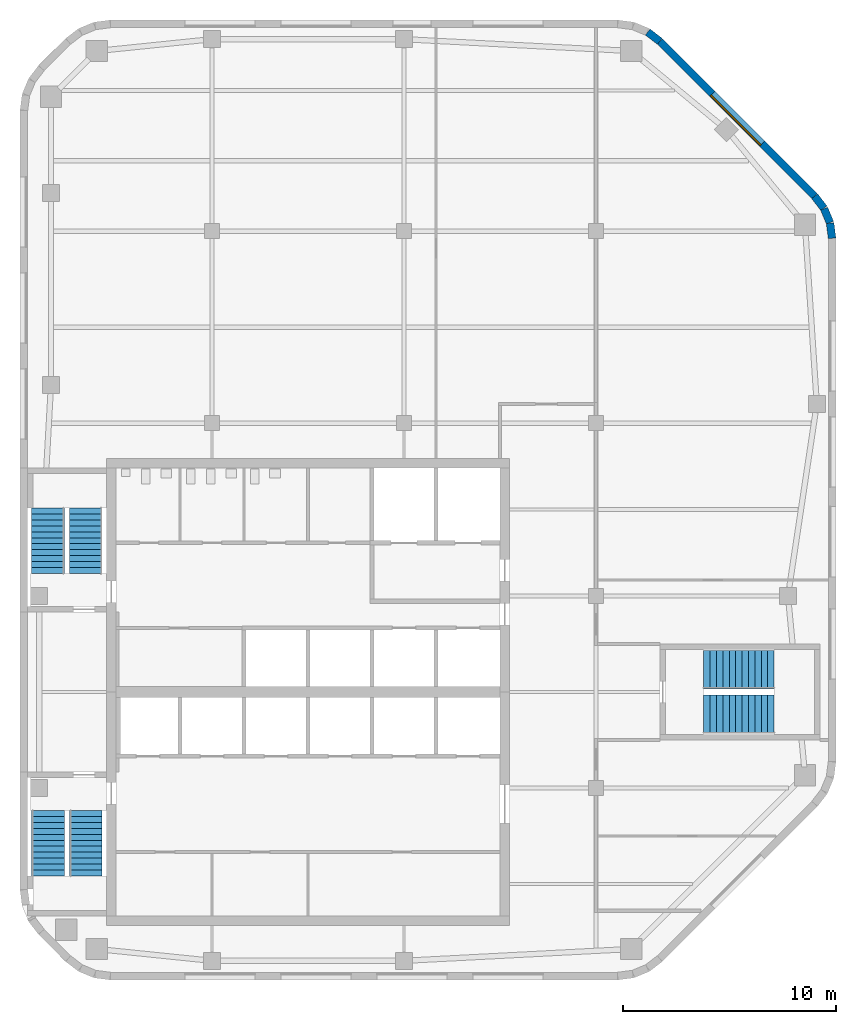
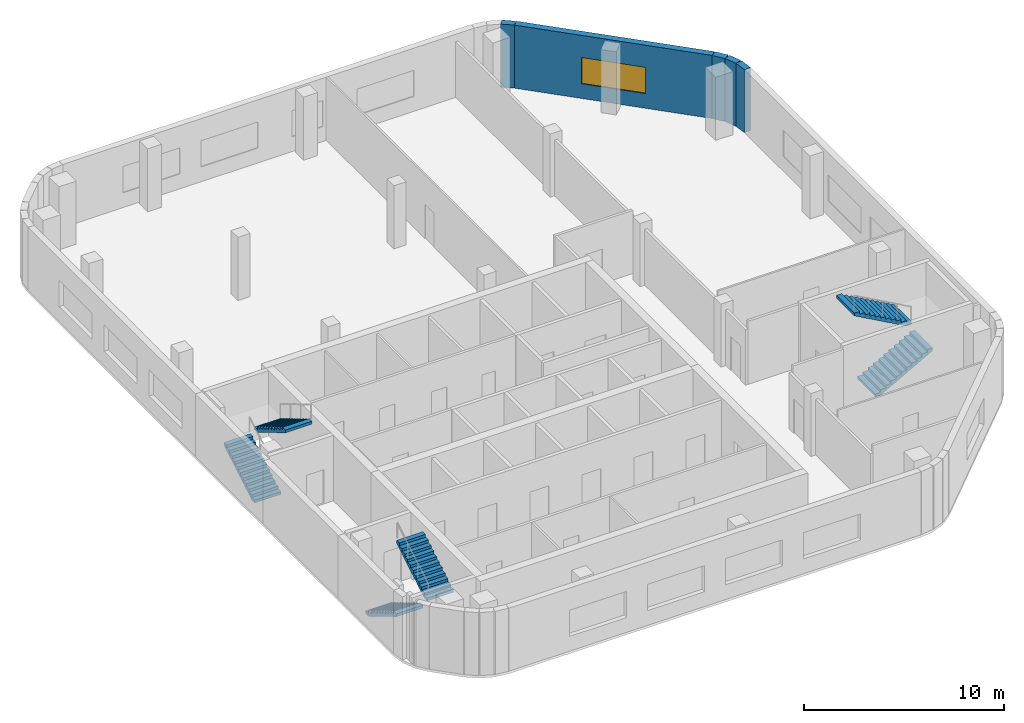
# One storey, part 5 of 7: 6 stair flights, 5 walls, 1 window, 1 opening, 3 elements without a shape of their own.
"""IFC4 building model written with IfcOpenShell, lengths in metres."""

from ifc_helpers import new_model, si_unit, direction, frame, frame_2d, origin, place, context, subcontext, project, spatial, polyline, rectangle, outline, extrude, material, layer, layer_set, type_object, element, fill, aggregate, save


model = new_model("IFC4")

# Units and contexts
model_context = context("Model", 3, precision=1e-05, world=origin(), true_north=direction((0.0, 1.0)))
body_context = subcontext(model_context, "Body", "Model", "MODEL_VIEW")
ifc_project = project(units=[si_unit("LENGTHUNIT", "METRE"), si_unit("AREAUNIT", "SQUARE_METRE"), si_unit("VOLUMEUNIT", "CUBIC_METRE"), si_unit("PLANEANGLEUNIT", "RADIAN"), si_unit("MASSUNIT", "GRAM", prefix="KILO")], contexts=[model_context])

# Site, building, storey
site_placement = place(None, origin())
site = spatial("IfcSite", under=ifc_project, at=site_placement, CompositionType="ELEMENT")
building_placement = place(site_placement, origin())
building = spatial("IfcBuilding", under=site, at=building_placement, Name="Cinnabar Reach Civic Tower", CompositionType="ELEMENT")
storey_placement = place(building_placement, frame((0.0, 0.0, 255.0)))
storey = spatial("IfcBuildingStorey", under=building, at=storey_placement, Name="L61", CompositionType="ELEMENT", Elevation=255.0)

# Walls
ifc_material_1 = material(Name="Facing brick with insulated backing", Category="masonry")
ifc_layer_1 = layer(ifc_material_1, 0.36)
ifc_layer_set_1 = layer_set([ifc_layer_1], Name="Brick corner wall")
wall_type_1 = type_object("IfcWallType", Name="Brick corner wall", PredefinedType="STANDARD", material=ifc_layer_set_1)
for number, where, z_axis, x_axis, name in (
    (1, (38.067, 52.7686, 0.0), (0.0, 0.0, 1.0), (-0.13055608231, 0.99144092581, 0.0), "Brick corner wall"),
    (2, (37.9681, 53.4973, 0.0), (0.0, 0.0, 1.0), (-0.382702709855, 0.923871547278, 0.0), "Brick corner wall"),
):
    element("IfcWall", number, at=place(storey_placement, frame(where, z_axis=z_axis, x_axis=x_axis)), inside=storey, type_object=wall_type_1, Name=name, PredefinedType="STANDARD", context=body_context, shape_type="SweptSolid", body=[
        extrude(rectangle(XDim=0.7131, YDim=0.36, at=frame_2d((0.3565, 0.0))), origin(), (0.0, 0.0, 1.0), 3.85),
    ])
for number, where, z_axis, x_axis, name in (
    (3, (37.684, 54.1755, 0.0), (0.0, 0.0, 1.0), (-0.608802368033, 0.793321924995, 0.0), "Brick corner wall"),
    (4, (29.9913, 61.9998, 0.0), (0.0, 0.0, 1.0), (-0.793321924995, 0.608802368033, 0.0), "Brick corner wall"),
):
    element("IfcWall", number, at=place(storey_placement, frame(where, z_axis=z_axis, x_axis=x_axis)), inside=storey, type_object=wall_type_1, Name=name, PredefinedType="STANDARD", context=body_context, shape_type="SweptSolid", body=[
        extrude(rectangle(XDim=0.7132, YDim=0.36, at=frame_2d((0.3566, 0.0))), origin(), (0.0, 0.0, 1.0), 3.85),
    ])

# Wall, opening, window
ifc_layer_2 = layer(ifc_material_1, 0.36)
ifc_layer_set_2 = layer_set([ifc_layer_2], Name="Brick pier and spandrel wall")
wall_type_2 = type_object("IfcWallType", Name="Brick pier and spandrel wall", PredefinedType="STANDARD", material=ifc_layer_set_2)
wall_placement = place(storey_placement, frame((37.244, 54.7514, 0.0), z_axis=(0.0, 0.0, 1.0), x_axis=(-0.707106781187, 0.707106781187, 0.0)))
wall = element("IfcWall", 5, at=wall_placement, inside=storey, type_object=wall_type_2, Name="Brick facade wall", PredefinedType="STANDARD", context=body_context, shape_type="SweptSolid", body=[
    extrude(rectangle(XDim=10.2426, YDim=0.36, at=frame_2d((5.1213, 0.0))), origin(), (0.0, 0.0, 1.0), 3.85),
])
opening_placement = place(wall_placement, frame((3.4713, 0.0, 0.9)))
opening = element("IfcOpeningElement", 6, at=opening_placement, cuts=wall, Name="Opening W2220", PredefinedType="OPENING", context=body_context, shape_type="SweptSolid", body=[
    extrude(rectangle(XDim=3.3, YDim=1.6, at=frame_2d((1.65, 0.8))), frame((0.0, 0.19, 0.0), z_axis=(0.0, -1.0, 0.0), x_axis=(1.0, 0.0, 0.0)), (0.0, 0.0, 1.0), 0.38),
])
ifc_material_2 = material(Name="Clear double glazing in aluminium frame", Category="aluminium")
window_type = type_object("IfcWindowType", Name="Deep-set window A", PartitioningType="SINGLE_PANEL", PredefinedType="WINDOW", material=ifc_material_2)
window_placement = place(opening_placement, origin())
window = element("IfcWindow", 7, at=window_placement, inside=storey, type_object=window_type, Name="Window northeast face", OverallHeight=1.6, OverallWidth=3.3, PartitioningType="SINGLE_PANEL", PredefinedType="WINDOW", context=body_context, shape_type="SweptSolid", body=[
    extrude(rectangle(XDim=3.3, YDim=1.6, at=frame_2d((1.65, 0.8))), frame((0.0, 0.13, 0.0), z_axis=(0.0, -1.0, 0.0), x_axis=(1.0, 0.0, 0.0)), (0.0, 0.0, 1.0), 0.06),
])
fill(opening, window)

# Stair, stair flights
ifc_material_3 = material(Name="Concrete C40/50", Category="concrete")
stair_type = type_object("IfcStairType", Name="T1 Exit stair, half-turn", PredefinedType="HALF_TURN_STAIR", material=ifc_material_3)
stair_1_placement = place(storey_placement, origin())
stair_1 = element("IfcStair", 8, at=stair_1_placement, inside=storey, type_object=stair_type, Name="Stair T1-S1", PredefinedType="HALF_TURN_STAIR")
stair_flight_type = type_object("IfcStairFlightType", Name="T1 Stair flight, concrete", PredefinedType="STRAIGHT", material=ifc_material_3)
stair_flight_1_placement = place(storey_placement, frame((1.3125, 25.95, 0.0), z_axis=(0.0, 0.0, 1.0), x_axis=(0.0, -1.0, 0.0)))
stair_flight_1 = element("IfcStairFlight", 9, at=stair_flight_1_placement, type_object=stair_flight_type, Name="T1-S1 flight 1", NumberOfRisers=12, NumberOfTreads=11, PredefinedType="STRAIGHT", RiserHeight=0.166666667, TreadLength=0.28, context=body_context, shape_type="SweptSolid", body=[
    extrude(outline(polyline([(0.0, 0.0), (0.0, 0.1667), (0.28, 0.1667), (0.28, 0.3333), (0.56, 0.3333), (0.56, 0.5), (0.84, 0.5), (0.84, 0.6667), (1.12, 0.6667), (1.12, 0.8333), (1.4, 0.8333), (1.4, 1.0), (1.68, 1.0), (1.68, 1.1667), (1.96, 1.1667), (1.96, 1.3333), (2.24, 1.3333), (2.24, 1.5), (2.52, 1.5), (2.52, 1.6667), (2.8, 1.6667), (2.8, 1.8333), (3.08, 1.8333), (3.08, 2.0), (3.08, 1.6588), (0.2933, 0.0), (0.0, 0.0)])), frame((0.0, 0.7625, 0.0), z_axis=(0.0, -1.0, 0.0), x_axis=(1.0, 0.0, 0.0)), (0.0, 0.0, 1.0), 1.525),
])
stair_flight_2_placement = place(storey_placement, frame((3.0875, 22.87, 2.0), z_axis=(0.0, 0.0, 1.0), x_axis=(0.0, 1.0, 0.0)))
stair_flight_2 = element("IfcStairFlight", 10, at=stair_flight_2_placement, type_object=stair_flight_type, Name="T1-S1 flight 2", NumberOfRisers=12, NumberOfTreads=11, PredefinedType="STRAIGHT", RiserHeight=0.166666667, TreadLength=0.28, context=body_context, shape_type="SweptSolid", body=[
    extrude(outline(polyline([(0.0, 0.0), (0.0, 0.1667), (0.28, 0.1667), (0.28, 0.3333), (0.56, 0.3333), (0.56, 0.5), (0.84, 0.5), (0.84, 0.6667), (1.12, 0.6667), (1.12, 0.8333), (1.4, 0.8333), (1.4, 1.0), (1.68, 1.0), (1.68, 1.1667), (1.96, 1.1667), (1.96, 1.3333), (2.24, 1.3333), (2.24, 1.5), (2.52, 1.5), (2.52, 1.6667), (2.8, 1.6667), (2.8, 1.8333), (3.08, 1.8333), (3.08, 2.0), (3.08, 1.6588), (0.2933, 0.0), (0.0, 0.0)])), frame((0.0, 0.7625, 0.0), z_axis=(0.0, -1.0, 0.0), x_axis=(1.0, 0.0, 0.0)), (0.0, 0.0, 1.0), 1.525),
])
aggregate(stair_1, [stair_flight_1, stair_flight_2])

stair_2_placement = place(storey_placement, origin())
stair_2 = element("IfcStair", 11, at=stair_2_placement, inside=storey, type_object=stair_type, Name="Stair T1-S2", PredefinedType="HALF_TURN_STAIR")
stair_flight_3_placement = place(storey_placement, frame((1.3125, 37.05, 0.0), z_axis=(0.0, 0.0, 1.0), x_axis=(0.0, 1.0, 0.0)))
stair_flight_3 = element("IfcStairFlight", 12, at=stair_flight_3_placement, type_object=stair_flight_type, Name="T1-S2 flight 1", NumberOfRisers=12, NumberOfTreads=11, PredefinedType="STRAIGHT", RiserHeight=0.166666667, TreadLength=0.28, context=body_context, shape_type="SweptSolid", body=[
    extrude(outline(polyline([(0.0, 0.0), (0.0, 0.1667), (0.28, 0.1667), (0.28, 0.3333), (0.56, 0.3333), (0.56, 0.5), (0.84, 0.5), (0.84, 0.6667), (1.12, 0.6667), (1.12, 0.8333), (1.4, 0.8333), (1.4, 1.0), (1.68, 1.0), (1.68, 1.1667), (1.96, 1.1667), (1.96, 1.3333), (2.24, 1.3333), (2.24, 1.5), (2.52, 1.5), (2.52, 1.6667), (2.8, 1.6667), (2.8, 1.8333), (3.08, 1.8333), (3.08, 2.0), (3.08, 1.6588), (0.2933, 0.0), (0.0, 0.0)])), frame((0.0, 0.7625, 0.0), z_axis=(0.0, -1.0, 0.0), x_axis=(1.0, 0.0, 0.0)), (0.0, 0.0, 1.0), 1.525),
])
stair_flight_4_placement = place(storey_placement, frame((3.0875, 40.13, 2.0), z_axis=(0.0, 0.0, 1.0), x_axis=(0.0, -1.0, 0.0)))
stair_flight_4 = element("IfcStairFlight", 13, at=stair_flight_4_placement, type_object=stair_flight_type, Name="T1-S2 flight 2", NumberOfRisers=12, NumberOfTreads=11, PredefinedType="STRAIGHT", RiserHeight=0.166666667, TreadLength=0.28, context=body_context, shape_type="SweptSolid", body=[
    extrude(outline(polyline([(0.0, 0.0), (0.0, 0.1667), (0.28, 0.1667), (0.28, 0.3333), (0.56, 0.3333), (0.56, 0.5), (0.84, 0.5), (0.84, 0.6667), (1.12, 0.6667), (1.12, 0.8333), (1.4, 0.8333), (1.4, 1.0), (1.68, 1.0), (1.68, 1.1667), (1.96, 1.1667), (1.96, 1.3333), (2.24, 1.3333), (2.24, 1.5), (2.52, 1.5), (2.52, 1.6667), (2.8, 1.6667), (2.8, 1.8333), (3.08, 1.8333), (3.08, 2.0), (3.08, 1.6588), (0.2933, 0.0), (0.0, 0.0)])), frame((0.0, 0.7625, 0.0), z_axis=(0.0, -1.0, 0.0), x_axis=(1.0, 0.0, 0.0)), (0.0, 0.0, 1.0), 1.525),
])
aggregate(stair_2, [stair_flight_3, stair_flight_4])

stair_3_placement = place(storey_placement, origin())
stair_3 = element("IfcStair", 14, at=stair_3_placement, inside=storey, type_object=stair_type, Name="Stair T1-S3", PredefinedType="HALF_TURN_STAIR")
stair_flight_5_placement = place(storey_placement, frame((32.05, 30.45, 0.0), z_axis=(0.0, 0.0, 1.0), x_axis=(1.0, 0.0, 0.0)))
stair_flight_5 = element("IfcStairFlight", 15, at=stair_flight_5_placement, type_object=stair_flight_type, Name="T1-S3 flight 1", NumberOfRisers=12, NumberOfTreads=11, PredefinedType="STRAIGHT", RiserHeight=0.166666667, TreadLength=0.3, context=body_context, shape_type="SweptSolid", body=[
    extrude(outline(polyline([(0.0, 0.0), (0.0, 0.1667), (0.3, 0.1667), (0.3, 0.3333), (0.6, 0.3333), (0.6, 0.5), (0.9, 0.5), (0.9, 0.6667), (1.2, 0.6667), (1.2, 0.8333), (1.5, 0.8333), (1.5, 1.0), (1.8, 1.0), (1.8, 1.1667), (2.1, 1.1667), (2.1, 1.3333), (2.4, 1.3333), (2.4, 1.5), (2.7, 1.5), (2.7, 1.6667), (3.0, 1.6667), (3.0, 1.8333), (3.3, 1.8333), (3.3, 2.0), (3.3, 1.6617), (0.3089, 0.0), (0.0, 0.0)])), frame((0.0, 0.9, 0.0), z_axis=(0.0, -1.0, 0.0), x_axis=(1.0, 0.0, 0.0)), (0.0, 0.0, 1.0), 1.8),
])
stair_flight_6_placement = place(storey_placement, frame((35.35, 32.55, 2.0), z_axis=(0.0, 0.0, 1.0), x_axis=(-1.0, 0.0, 0.0)))
stair_flight_6 = element("IfcStairFlight", 16, at=stair_flight_6_placement, type_object=stair_flight_type, Name="T1-S3 flight 2", NumberOfRisers=12, NumberOfTreads=11, PredefinedType="STRAIGHT", RiserHeight=0.166666667, TreadLength=0.3, context=body_context, shape_type="SweptSolid", body=[
    extrude(outline(polyline([(0.0, 0.0), (0.0, 0.1667), (0.3, 0.1667), (0.3, 0.3333), (0.6, 0.3333), (0.6, 0.5), (0.9, 0.5), (0.9, 0.6667), (1.2, 0.6667), (1.2, 0.8333), (1.5, 0.8333), (1.5, 1.0), (1.8, 1.0), (1.8, 1.1667), (2.1, 1.1667), (2.1, 1.3333), (2.4, 1.3333), (2.4, 1.5), (2.7, 1.5), (2.7, 1.6667), (3.0, 1.6667), (3.0, 1.8333), (3.3, 1.8333), (3.3, 2.0), (3.3, 1.6617), (0.3089, 0.0), (0.0, 0.0)])), frame((0.0, 0.9, 0.0), z_axis=(0.0, -1.0, 0.0), x_axis=(1.0, 0.0, 0.0)), (0.0, 0.0, 1.0), 1.8),
])
aggregate(stair_3, [stair_flight_5, stair_flight_6])

save(model, "model.ifc")
